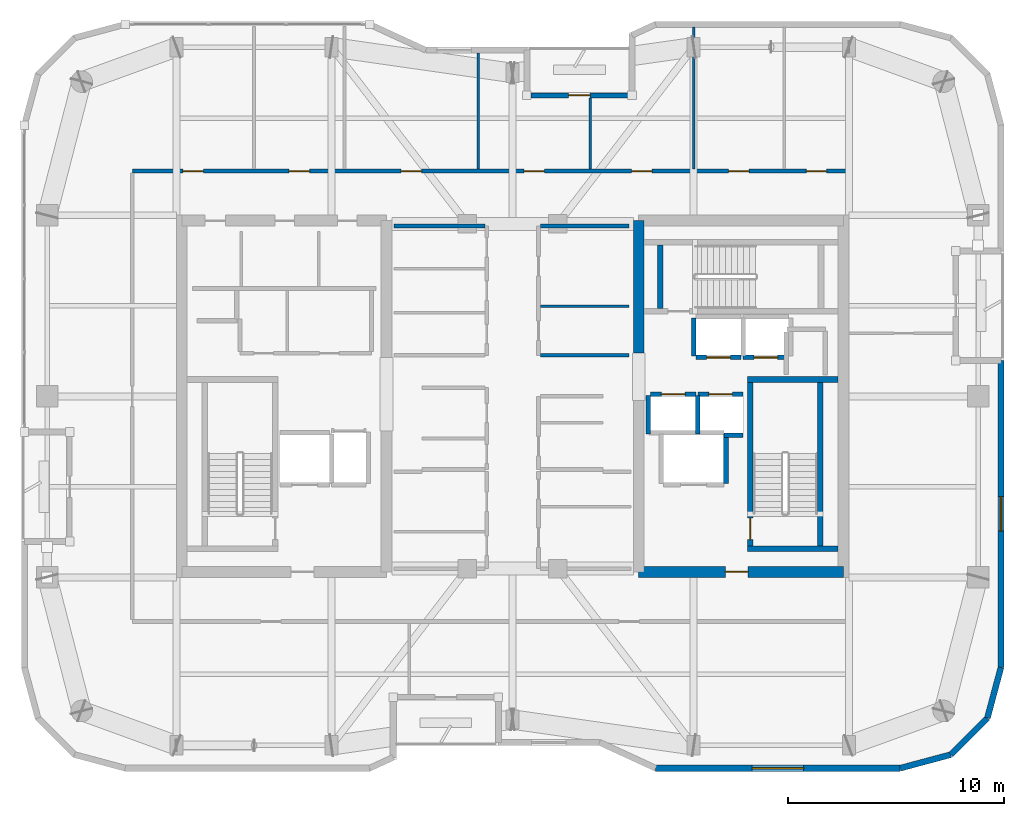
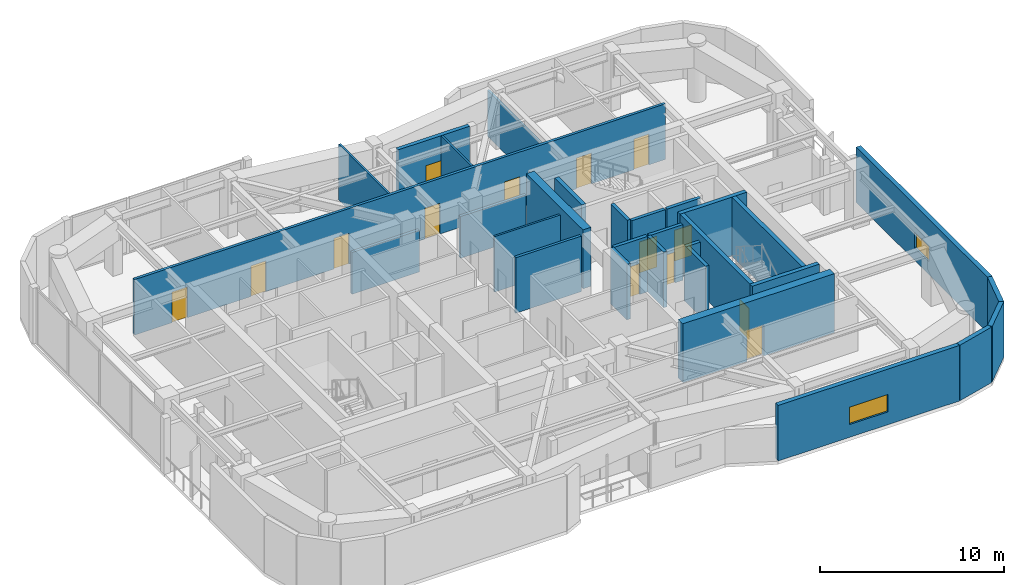
# One storey, part 12 of 15: 30 walls, 14 doors, 2 windows, 16 openings.
"""IFC4 building model written with IfcOpenShell, lengths in metres."""

import ifcopenshell
import ifcopenshell.guid

model = None  # the IFC model being written
_history = None  # IfcOwnerHistory: only IFC2X3 demands one
_inside = {}  # id of a spatial element -> (the spatial element, [elements in it])
_under = {}  # id of a project, library or spatial element -> (it, [spatial elements below it])
_declared = {}  # id of a project -> (the project, [libraries it declares])
_typed = {}  # id of a type object -> (the type object, [elements of that type])
_made_of = {}  # id of a material, layer set ... -> (it, [elements and type objects made of it])


def new_model(schema):
    """Start an empty IFC model of exactly this schema.

    Asked for "IFC4X3", IfcOpenShell would pick the latest addendum, in which some entities
    have other attributes; the version numbers below select the first issue.
    IFC2X3 requires an IfcOwnerHistory on every rooted entity: one is made here for all.
    """
    global model, _history
    if schema == "IFC4X3":
        model = ifcopenshell.file(schema_version=(4, 3, 0, 0))
    else:
        model = ifcopenshell.file(schema=schema)
    _inside.clear()
    _under.clear()
    _declared.clear()
    _typed.clear()
    _made_of.clear()
    _history = None
    if model.schema == "IFC2X3":
        org = make("IfcOrganization", Name="unknown")
        user = make(
            "IfcPersonAndOrganization",
            ThePerson=make("IfcPerson", FamilyName="unknown"),
            TheOrganization=org,
        )
        app = make(
            "IfcApplication",
            ApplicationDeveloper=org,
            Version="unknown",
            ApplicationFullName="unknown",
            ApplicationIdentifier="unknown",
        )
        _history = make(
            "IfcOwnerHistory",
            OwningUser=user,
            OwningApplication=app,
            ChangeAction="ADDED",
            CreationDate=0,
        )
    return model


def make(cls, **values):
    """One entity of the class cls with the attributes given. An attribute that is None is left unset."""
    return model.create_entity(
        cls, **{name: value for name, value in values.items() if value is not None}
    )


def rooted(cls, **values):
    """An entity with a GlobalId (a new one), such as an element, a storey or a relation."""
    return make(cls, GlobalId=ifcopenshell.guid.new(), OwnerHistory=_history, **values)


def si_unit(unit_type, name, prefix=None):
    """IfcSIUnit, for example si_unit("LENGTHUNIT", "METRE", prefix="MILLI")."""
    return make("IfcSIUnit", UnitType=unit_type, Prefix=prefix, Name=name)


def assignment(units):
    """IfcUnitAssignment: the units of a project."""
    return None if units is None else make("IfcUnitAssignment", Units=units)


def point(xyz):
    """IfcCartesianPoint."""
    return None if xyz is None else make("IfcCartesianPoint", Coordinates=xyz)


def direction(xyz):
    """IfcDirection."""
    return None if xyz is None else make("IfcDirection", DirectionRatios=xyz)


def frame(location, z_axis=None, x_axis=None):
    """IfcAxis2Placement3D, a coordinate frame: its origin and axes. An axis left out is left unset."""
    return make(
        "IfcAxis2Placement3D",
        Location=point(location),
        Axis=direction(z_axis),
        RefDirection=direction(x_axis),
    )


def frame_2d(location, x_axis=None):
    """IfcAxis2Placement2D, a coordinate frame in the plane: its origin and x axis."""
    return make(
        "IfcAxis2Placement2D", Location=point(location), RefDirection=direction(x_axis)
    )


def origin():
    """The frame at (0, 0, 0) with its axes left unset."""
    return frame((0.0, 0.0, 0.0))


def place(relative_to, where):
    """IfcLocalPlacement: puts the frame where relative to a parent placement (None: the world)."""
    return make(
        "IfcLocalPlacement", PlacementRelTo=relative_to, RelativePlacement=where
    )


def context(
    kind, dimensions, precision=None, world=None, true_north=None, identifier=None
):
    """IfcGeometricRepresentationContext, for example the 3D "Model" context."""
    return make(
        "IfcGeometricRepresentationContext",
        ContextIdentifier=identifier,
        ContextType=kind,
        CoordinateSpaceDimension=dimensions,
        Precision=precision,
        WorldCoordinateSystem=world,
        TrueNorth=true_north,
    )


def subcontext(parent, identifier, kind, view, scale=None):
    """IfcGeometricRepresentationSubContext, for example "Body" below "Model"."""
    return make(
        "IfcGeometricRepresentationSubContext",
        ContextIdentifier=identifier,
        ContextType=kind,
        ParentContext=parent,
        TargetScale=scale,
        TargetView=view,
    )


def project(units=None, contexts=None):
    """IfcProject with its units and contexts."""
    return rooted(
        "IfcProject",
        Name="project",
        RepresentationContexts=contexts,
        UnitsInContext=assignment(units),
    )


def spatial(cls, under=None, at=None, **own):
    """A site, building, storey or space (cls), placed at a placement, below another one or the project."""
    s = rooted(cls, ObjectPlacement=at, **own)
    if under is not None:
        _under.setdefault(under.id(), (under, []))[1].append(s)
    return s


def profile(cls, at=None, kind="AREA", **sizes):
    """A parametric profile (cls). Its sizes go by their IFC names, for example OverallWidth=200.0."""
    return make(cls, ProfileType=kind, Position=at, **sizes)


def rectangle(**sizes):
    """IfcRectangleProfileDef."""
    return profile("IfcRectangleProfileDef", **sizes)


def extrude(swept, where, along, depth):
    """IfcExtrudedAreaSolid: the profile swept, set in the frame where, extruded along a direction by depth."""
    return make(
        "IfcExtrudedAreaSolid",
        SweptArea=swept,
        Position=where,
        ExtrudedDirection=direction(along),
        Depth=depth,
    )


def shape(context_of_items, identifier, shape_type, items):
    """IfcShapeRepresentation: the items that make up one representation, for example the "Body"."""
    return make(
        "IfcShapeRepresentation",
        ContextOfItems=context_of_items,
        RepresentationIdentifier=identifier,
        RepresentationType=shape_type,
        Items=items,
    )


def material(Name=None, Category=None):
    """IfcMaterial."""
    return make("IfcMaterial", Name=Name, Category=Category)


def layer(
    of_material, thickness, ventilated=None, Name=None, Category=None, Priority=None
):
    """IfcMaterialLayer: one layer of a wall or slab, of a material (None: an air gap)."""
    return make(
        "IfcMaterialLayer",
        Material=of_material,
        LayerThickness=thickness,
        IsVentilated=ventilated,
        Name=Name,
        Category=Category,
        Priority=Priority,
    )


def layer_set(layers, Name=None):
    """IfcMaterialLayerSet."""
    return make("IfcMaterialLayerSet", MaterialLayers=layers, LayerSetName=Name)


def made_of(thing, what):
    """Note that an element or type object is made of a material, layer set ...; save() writes the relation."""
    if what is not None:
        _made_of.setdefault(what.id(), (what, []))[1].append(thing)
    return thing


def type_object(cls, material=None, **own):
    """A type object (cls), such as IfcWallType, which elements share."""
    return made_of(rooted(cls, **own), material)


def element(
    cls,
    number,
    at=None,
    inside=None,
    cuts=None,
    type_object=None,
    material=None,
    context=None,
    identifier="Body",
    shape_type=None,
    held_by="IfcProductDefinitionShape",
    body=None,
    shapes=None,
    **own,
):
    """One element of the class cls, such as IfcWall. Its Tag is "e" and its number.

    at: its placement. inside: the storey or other place that contains it. cuts: it is an
    opening in that element (IfcRelVoidsElement). A single representation is given by context,
    identifier, shape_type and body (its items); several are given by shapes. held_by: the class
    of the entity that holds the representations. save() writes the other relations.
    """
    e = rooted(cls, Tag="e%d" % number, ObjectPlacement=at, **own)
    if body is not None:
        shapes = [shape(context, identifier, shape_type, body)]
    if shapes is not None:
        e.Representation = make(held_by, Representations=shapes)
    if inside is not None:
        _inside.setdefault(inside.id(), (inside, []))[1].append(e)
    if cuts is not None:
        rooted(
            "IfcRelVoidsElement", RelatingBuildingElement=cuts, RelatedOpeningElement=e
        )
    if type_object is not None:
        _typed.setdefault(type_object.id(), (type_object, []))[1].append(e)
    return made_of(e, material)


def fill(opening, filler):
    """IfcRelFillsElement: the door or window that sits in an opening."""
    return rooted(
        "IfcRelFillsElement",
        RelatingOpeningElement=opening,
        RelatedBuildingElement=filler,
    )


def aggregate(whole, parts):
    """IfcRelAggregates: a whole, such as a stair, and the parts it consists of."""
    return rooted("IfcRelAggregates", RelatingObject=whole, RelatedObjects=parts)


def save(model, path):
    """Write the relations noted so far, then the file.

    IfcRelAggregates (storeys below a building ...), IfcRelContainedInSpatialStructure (elements
    in a storey), IfcRelDefinesByType, IfcRelAssociatesMaterial and IfcRelDeclares: one each for
    every whole, place, type object, material and project.
    """
    for whole, parts in _under.values():
        aggregate(whole, parts)
    for where, things in _inside.values():
        rooted(
            "IfcRelContainedInSpatialStructure",
            RelatedElements=things,
            RelatingStructure=where,
        )
    for kind, things in _typed.values():
        rooted("IfcRelDefinesByType", RelatedObjects=things, RelatingType=kind)
    for what, things in _made_of.values():
        rooted("IfcRelAssociatesMaterial", RelatedObjects=things, RelatingMaterial=what)
    for by, libraries in _declared.values():
        rooted("IfcRelDeclares", RelatingContext=by, RelatedDefinitions=libraries)
    model.write(path)


model = new_model("IFC4")

# Units and contexts
model_context = context("Model", 3, precision=1e-05, world=origin(), true_north=direction((0.0, 1.0)))
body_context = subcontext(model_context, "Body", "Model", "MODEL_VIEW")
ifc_project = project(units=[si_unit("LENGTHUNIT", "METRE"), si_unit("AREAUNIT", "SQUARE_METRE"), si_unit("VOLUMEUNIT", "CUBIC_METRE"), si_unit("PLANEANGLEUNIT", "RADIAN"), si_unit("MASSUNIT", "GRAM", prefix="KILO")], contexts=[model_context])

# Site, building, storey
site_placement = place(None, origin())
site = spatial("IfcSite", under=ifc_project, at=site_placement, CompositionType="ELEMENT")
building_placement = place(site_placement, origin())
building = spatial("IfcBuilding", under=site, at=building_placement, Name="Kiyonajd Concourse Tower", CompositionType="ELEMENT")
storey_placement = place(building_placement, frame((0.0, 0.0, 270.60009765625)))
storey = spatial("IfcBuildingStorey", under=building, at=storey_placement, Name="L68", CompositionType="ELEMENT", Elevation=270.60009765625)

# Wall
ifc_material_1 = material(Name="Concrete C60/75", Category="concrete")
ifc_layer_1 = layer(ifc_material_1, 0.5)
ifc_layer_set_1 = layer_set([ifc_layer_1], Name="Concrete C60/75")
wall_type_1 = type_object("IfcWallType", Name="WL-CORE-500", PredefinedType="SHEAR", material=ifc_layer_set_1)
wall_1_placement = place(storey_placement, frame((53.85009765625, 38.0, 0.0), z_axis=(0.0, 0.0, 1.0), x_axis=(0.0, 1.0, 0.0)))
element("IfcWall", 1, at=wall_1_placement, inside=storey, type_object=wall_type_1, Name="L68 East Core Inner North Shear Wall", PredefinedType="SHEAR", context=body_context, shape_type="SweptSolid", body=[
    extrude(rectangle(XDim=6.14990234375, YDim=0.5, at=frame_2d((3.074951171875, 0.0))), origin(), (0.0, 0.0, 1.0), 3.89990234375),
])

# Wall, opening, door
wall_2_placement = place(storey_placement, frame((53.85009765625, 27.85009765625, 0.0), z_axis=(0.0, 0.0, 1.0), x_axis=(1.0, 0.0, 0.0)))
wall_2 = element("IfcWall", 2, at=wall_2_placement, inside=storey, type_object=wall_type_1, Name="L68 East Core South Shear Wall", PredefinedType="SHEAR", context=body_context, shape_type="SweptSolid", body=[
    extrude(rectangle(XDim=9.5, YDim=0.5, at=frame_2d((4.75, 0.0))), origin(), (0.0, 0.0, 1.0), 3.89990234375),
])
opening_1_placement = place(wall_2_placement, frame((4.02490234375, 0.0, 0.0)))
opening_1 = element("IfcOpeningElement", 3, at=opening_1_placement, cuts=wall_2, Name="Opening DF5", PredefinedType="OPENING", context=body_context, shape_type="SweptSolid", body=[
    extrude(rectangle(XDim=1.050048828125, YDim=2.0400390625, at=frame_2d((0.52490234375, 1.02001953125))), frame((0.0, 0.260009765625, 0.0), z_axis=(0.0, -1.0, 0.0), x_axis=(1.0, 0.0, 0.0)), (0.0, 0.0, 1.0), 0.52001953125),
])
ifc_material_2 = material(Name="Brushed Stainless Steel Cab Assembly", Category="steel")
door_type_1 = type_object("IfcDoorType", Name="DR-FD45-1050", OperationType="NOTDEFINED", PredefinedType="DOOR", material=ifc_material_2)
door_1_placement = place(opening_1_placement, origin())
door_1 = element("IfcDoor", 4, at=door_1_placement, inside=storey, type_object=door_type_1, Name="L68 Firefighting Lift Lobby E Smoke Door", OperationType="SINGLE_SWING_RIGHT", OverallHeight=2.0400390625, OverallWidth=1.050048828125, PredefinedType="DOOR", context=body_context, shape_type="SweptSolid", body=[
    extrude(rectangle(XDim=1.050048828125, YDim=2.0400390625, at=frame_2d((0.52490234375, 1.02001953125))), frame((0.0, 0.02490234375, 0.0), z_axis=(0.0, -1.0, 0.0), x_axis=(1.0, 0.0, 0.0)), (0.0, 0.0, 1.0), 0.050048828125),
])
fill(opening_1, door_1)

# Wall, opening, window
ifc_material_3 = material(Name="Precast concrete C50/60", Category="concrete")
ifc_layer_2 = layer(ifc_material_3, 0.280029296875)
ifc_layer_set_2 = layer_set([ifc_layer_2], Name="Precast concrete C50/60")
wall_type_2 = type_object("IfcWallType", Name="WL-EXT-280", PredefinedType="SOLIDWALL", material=ifc_layer_set_2)
wall_3_placement = place(storey_placement, frame((70.659912109375, 37.659912109375, 0.0), z_axis=(0.0, 0.0, 1.0), x_axis=(0.0, -1.0, 0.0)))
wall_3 = element("IfcWall", 5, at=wall_3_placement, inside=storey, type_object=wall_type_2, Name="L68 Exterior Concrete Frame Wall 24", PredefinedType="SOLIDWALL", context=body_context, shape_type="SweptSolid", body=[
    extrude(rectangle(XDim=14.241455078125, YDim=0.280029296875, at=frame_2d((7.12060546875, 0.0))), origin(), (0.0, 0.0, 1.0), 3.679931640625),
])
opening_2_placement = place(wall_3_placement, frame((6.321044921875, 0.0, 0.85009765625)))
opening_2 = element("IfcOpeningElement", 6, at=opening_2_placement, cuts=wall_3, Name="Opening WN6", PredefinedType="OPENING", context=body_context, shape_type="SweptSolid", body=[
    extrude(rectangle(XDim=1.60009765625, YDim=1.0, at=frame_2d((0.800048828125, 0.5))), frame((0.0, 0.14990234375, 0.0), z_axis=(0.0, -1.0, 0.0), x_axis=(1.0, 0.0, 0.0)), (0.0, 0.0, 1.0), 0.300048828125),
])
ifc_material_4 = material(Name="Double Low-E Insulated Glass", Category="glass")
window_type_1 = type_object("IfcWindowType", Name="WN-VIS-1600x1000", PartitioningType="SINGLE_PANEL", PredefinedType="WINDOW", material=ifc_material_4)
window_1_placement = place(opening_2_placement, origin())
window_1 = element("IfcWindow", 7, at=window_1_placement, inside=storey, type_object=window_type_1, Name="L68 Modular Facade Vision Window 24", OverallHeight=1.0, OverallWidth=1.60009765625, PartitioningType="SINGLE_PANEL", PredefinedType="WINDOW", context=body_context, shape_type="SweptSolid", body=[
    extrude(rectangle(XDim=1.60009765625, YDim=1.0, at=frame_2d((0.800048828125, 0.5))), frame((0.0, 0.030029296875, 0.0), z_axis=(0.0, -1.0, 0.0), x_axis=(1.0, 0.0, 0.0)), (0.0, 0.0, 1.0), 0.06005859375),
])
fill(opening_2, window_1)

# Walls
wall_4_placement = place(storey_placement, frame((70.659912109375, 23.41845703125, 0.0), z_axis=(0.0, 0.0, 1.0), x_axis=(-0.258751159445, -0.965944013639, 0.0)))
element("IfcWall", 8, at=wall_4_placement, inside=storey, type_object=wall_type_2, Name="L68 Exterior Concrete Frame Wall 25", PredefinedType="SOLIDWALL", context=body_context, shape_type="SweptSolid", body=[
    extrude(rectangle(XDim=2.4287109375, YDim=0.280029296875, at=frame_2d((1.21435546875, 0.0))), origin(), (0.0, 0.0, 1.0), 3.679931640625),
])
wall_5_placement = place(storey_placement, frame((70.031494140625, 21.072509765625, 0.0), z_axis=(0.0, 0.0, 1.0), x_axis=(-0.707106781187, -0.707106781187, 0.0)))
element("IfcWall", 9, at=wall_5_placement, inside=storey, type_object=wall_type_2, Name="L68 Exterior Concrete Frame Wall 26", PredefinedType="SOLIDWALL", context=body_context, shape_type="SweptSolid", body=[
    extrude(rectangle(XDim=2.409912109375, YDim=0.280029296875, at=frame_2d((1.205078125, 0.0))), origin(), (0.0, 0.0, 1.0), 3.679931640625),
])
wall_6_placement = place(storey_placement, frame((68.327392578125, 19.368408203125, 0.0), z_axis=(0.0, 0.0, 1.0), x_axis=(-0.965937282298, -0.25877628691, 0.0)))
element("IfcWall", 10, at=wall_6_placement, inside=storey, type_object=wall_type_2, Name="L68 Exterior Concrete Frame Wall 27", PredefinedType="SOLIDWALL", context=body_context, shape_type="SweptSolid", body=[
    extrude(rectangle(XDim=2.428466796875, YDim=0.280029296875, at=frame_2d((1.21435546875, 0.0))), origin(), (0.0, 0.0, 1.0), 3.679931640625),
])

# Wall, opening, window
wall_7_placement = place(storey_placement, frame((65.981689453125, 18.739990234375, 0.0), z_axis=(0.0, 0.0, 1.0), x_axis=(-1.0, 0.0, 0.0)))
wall_7 = element("IfcWall", 11, at=wall_7_placement, inside=storey, type_object=wall_type_2, Name="L68 Exterior Concrete Frame Wall 28", PredefinedType="SOLIDWALL", context=body_context, shape_type="SweptSolid", body=[
    extrude(rectangle(XDim=11.35107421875, YDim=0.280029296875, at=frame_2d((5.675537109375, 0.0))), origin(), (0.0, 0.0, 1.0), 3.679931640625),
])
opening_3_placement = place(wall_7_placement, frame((4.47509765625, 0.0, 0.85009765625)))
opening_3 = element("IfcOpeningElement", 12, at=opening_3_placement, cuts=wall_7, Name="Opening WN4", PredefinedType="OPENING", context=body_context, shape_type="SweptSolid", body=[
    extrude(rectangle(XDim=2.39990234375, YDim=1.14990234375, at=frame_2d((1.199951171875, 0.574951171875))), frame((0.0, 0.14990234375, 0.0), z_axis=(0.0, -1.0, 0.0), x_axis=(1.0, 0.0, 0.0)), (0.0, 0.0, 1.0), 0.300048828125),
])
window_type_2 = type_object("IfcWindowType", Name="WN-VIS-2400x1150", PartitioningType="SINGLE_PANEL", PredefinedType="WINDOW", material=ifc_material_4)
window_2_placement = place(opening_3_placement, origin())
window_2 = element("IfcWindow", 13, at=window_2_placement, inside=storey, type_object=window_type_2, Name="L68 Modular Facade Vision Window 28", OverallHeight=1.14990234375, OverallWidth=2.39990234375, PartitioningType="SINGLE_PANEL", PredefinedType="WINDOW", context=body_context, shape_type="SweptSolid", body=[
    extrude(rectangle(XDim=2.39990234375, YDim=1.14990234375, at=frame_2d((1.199951171875, 0.574951171875))), frame((0.0, 0.030029296875, 0.0), z_axis=(0.0, -1.0, 0.0), x_axis=(1.0, 0.0, 0.0)), (0.0, 0.0, 1.0), 0.06005859375),
])
fill(opening_3, window_2)

# Wall, opening, door
ifc_layer_3 = layer(ifc_material_3, 0.239990234375)
ifc_layer_set_3 = layer_set([ifc_layer_3], Name="Precast concrete C50/60")
wall_type_3 = type_object("IfcWallType", Name="WL-LOG-240", PredefinedType="SOLIDWALL", material=ifc_layer_set_3)
wall_8_placement = place(storey_placement, frame((48.85498046875, 49.9599609375, 0.0), z_axis=(0.0, 0.0, 1.0), x_axis=(1.0, 0.0, 0.0)))
wall_8 = element("IfcWall", 14, at=wall_8_placement, inside=storey, type_object=wall_type_3, Name="L68 Recessed Loggia Thermal Wall LOG-N", PredefinedType="SOLIDWALL", context=body_context, shape_type="SweptSolid", body=[
    extrude(rectangle(XDim=4.489990234375, YDim=0.239990234375, at=frame_2d((2.2451171875, 0.0))), origin(), (0.0, 0.0, 1.0), 3.679931640625),
])
opening_4_placement = place(wall_8_placement, frame((1.7451171875, 0.0, 0.0)))
opening_4 = element("IfcOpeningElement", 15, at=opening_4_placement, cuts=wall_8, Name="Opening DL1", PredefinedType="OPENING", context=body_context, shape_type="SweptSolid", body=[
    extrude(rectangle(XDim=1.0, YDim=2.02001953125, at=frame_2d((0.5, 1.010009765625))), frame((0.0, 0.1298828125, 0.0), z_axis=(0.0, -1.0, 0.0), x_axis=(1.0, 0.0, 0.0)), (0.0, 0.0, 1.0), 0.260009765625),
])
ifc_material_5 = material(Name="Thermally Broken Anodised Aluminium", Category="aluminium")
door_type_2 = type_object("IfcDoorType", Name="DR-LOG-1000", OperationType="NOTDEFINED", PredefinedType="DOOR", material=ifc_material_5)
door_2_placement = place(opening_4_placement, origin())
door_2 = element("IfcDoor", 16, at=door_2_placement, inside=storey, type_object=door_type_2, Name="L68 Engawa Loggia Access Door LOG-N", OperationType="SINGLE_SWING_RIGHT", OverallHeight=2.02001953125, OverallWidth=1.0, PredefinedType="DOOR", context=body_context, shape_type="SweptSolid", body=[
    extrude(rectangle(XDim=1.0, YDim=2.02001953125, at=frame_2d((0.5, 1.010009765625))), frame((0.0, 0.02490234375, 0.0), z_axis=(0.0, -1.0, 0.0), x_axis=(1.0, 0.0, 0.0)), (0.0, 0.0, 1.0), 0.050048828125),
])
fill(opening_4, door_2)

# Walls
ifc_material_6 = material(Name="Gypsum Board on Cold-Formed Steel Stud", Category="steel")
ifc_layer_4 = layer(ifc_material_6, 0.125)
ifc_layer_set_4 = layer_set([ifc_layer_4], Name="Gypsum Board on Cold-Formed Steel Stud")
wall_type_4 = type_object("IfcWallType", Name="WL-PART-125", PredefinedType="PARTITIONING", material=ifc_layer_set_4)
wall_9_placement = place(storey_placement, frame((49.287109375, 40.179931640625, 0.0), z_axis=(0.0, 0.0, 1.0), x_axis=(1.0, 0.0, 0.0)))
element("IfcWall", 17, at=wall_9_placement, inside=storey, type_object=wall_type_4, Name="L68 Interior Partition Wall", PredefinedType="PARTITIONING", context=body_context, shape_type="SweptSolid", body=[
    extrude(rectangle(XDim=4.11279296875, YDim=0.125, at=frame_2d((2.056396484375, 0.0))), origin(), (0.0, 0.0, 1.0), 3.679931640625),
])
wall_10_placement = place(storey_placement, frame((46.39990234375, 46.537109375, 0.0), z_axis=(0.0, 0.0, 1.0), x_axis=(0.0, 1.0, 0.0)))
element("IfcWall", 18, at=wall_10_placement, inside=storey, type_object=wall_type_4, Name="L68 Interior Partition Wall", PredefinedType="PARTITIONING", context=body_context, shape_type="SweptSolid", body=[
    extrude(rectangle(XDim=5.387939453125, YDim=0.125, at=frame_2d((2.69384765625, 0.0))), origin(), (0.0, 0.0, 1.0), 3.679931640625),
])
wall_11_placement = place(storey_placement, frame((51.60009765625, 46.537109375, 0.0), z_axis=(0.0, 0.0, 1.0), x_axis=(0.0, 1.0, 0.0)))
element("IfcWall", 19, at=wall_11_placement, inside=storey, type_object=wall_type_4, Name="L68 Interior Partition Wall", PredefinedType="PARTITIONING", context=body_context, shape_type="SweptSolid", body=[
    extrude(rectangle(XDim=3.307861328125, YDim=0.125, at=frame_2d((1.65380859375, 0.0))), origin(), (0.0, 0.0, 1.0), 3.679931640625),
])
wall_12_placement = place(storey_placement, frame((56.39990234375, 46.537109375, 0.0), z_axis=(0.0, 0.0, 1.0), x_axis=(0.0, 1.0, 0.0)))
element("IfcWall", 20, at=wall_12_placement, inside=storey, type_object=wall_type_4, Name="L68 Interior Partition Wall", PredefinedType="PARTITIONING", context=body_context, shape_type="SweptSolid", body=[
    extrude(rectangle(XDim=6.587890625, YDim=0.125, at=frame_2d((3.2939453125, 0.0))), origin(), (0.0, 0.0, 1.0), 3.04296875),
])
ifc_layer_5 = layer(ifc_material_6, 0.2099609375)
ifc_layer_set_5 = layer_set([ifc_layer_5], Name="Gypsum Board on Cold-Formed Steel Stud")
wall_type_5 = type_object("IfcWallType", Name="WL-SHAFT-210", PredefinedType="PARTITIONING", material=ifc_layer_set_5)
wall_13_placement = place(storey_placement, frame((57.89990234375, 31.9599609375, 0.0), z_axis=(0.0, 0.0, 1.0), x_axis=(0.0, 1.0, 0.0)))
element("IfcWall", 21, at=wall_13_placement, inside=storey, type_object=wall_type_5, Name="L68 Shaft Enclosure Wall", PredefinedType="PARTITIONING", context=body_context, shape_type="SweptSolid", body=[
    extrude(rectangle(XDim=2.280029296875, YDim=0.2099609375, at=frame_2d((1.14013671875, 0.0))), origin(), (0.0, 0.0, 1.0), 3.679931640625),
])

# Wall, opening, door
wall_14_placement = place(storey_placement, frame((54.39990234375, 36.10009765625, 0.0), z_axis=(0.0, 0.0, 1.0), x_axis=(1.0, 0.0, 0.0)))
wall_14 = element("IfcWall", 22, at=wall_14_placement, inside=storey, type_object=wall_type_5, Name="L68 Shaft Enclosure Wall", PredefinedType="PARTITIONING", context=body_context, shape_type="SweptSolid", body=[
    extrude(rectangle(XDim=2.10009765625, YDim=0.2099609375, at=frame_2d((1.050048828125, 0.0))), origin(), (0.0, 0.0, 1.0), 3.679931640625),
])
opening_5_placement = place(wall_14_placement, frame((0.5, 0.0, 0.0)))
opening_5 = element("IfcOpeningElement", 23, at=opening_5_placement, cuts=wall_14, Name="Opening LD1", PredefinedType="OPENING", context=body_context, shape_type="SweptSolid", body=[
    extrude(rectangle(XDim=1.10009765625, YDim=2.0400390625, at=frame_2d((0.550048828125, 1.02001953125))), frame((0.0, 0.114990234375, 0.0), z_axis=(0.0, -1.0, 0.0), x_axis=(1.0, 0.0, 0.0)), (0.0, 0.0, 1.0), 0.22998046875),
])
door_type_3 = type_object("IfcDoorType", Name="DR-LD-1100", OperationType="DOUBLE_DOOR_SLIDING", PredefinedType="DOOR", material=ifc_material_2)
door_3_placement = place(opening_5_placement, origin())
door_3 = element("IfcDoor", 24, at=door_3_placement, inside=storey, type_object=door_type_3, Name="L68 Lift PL-H1 Sliding Landing Door", OperationType="DOUBLE_DOOR_SLIDING", OverallHeight=2.0400390625, OverallWidth=1.10009765625, PredefinedType="DOOR", context=body_context, shape_type="SweptSolid", body=[
    extrude(rectangle(XDim=1.10009765625, YDim=2.0400390625, at=frame_2d((0.550048828125, 1.02001953125))), frame((0.0, 0.02490234375, 0.0), z_axis=(0.0, -1.0, 0.0), x_axis=(1.0, 0.0, 0.0)), (0.0, 0.0, 1.0), 0.050048828125),
])
fill(opening_5, door_3)

# Walls
for number, where, z_axis, x_axis, name in (
    (25, (54.300048828125, 34.260009765625, 0.0), (0.0, 0.0, 1.0), (0.0, 1.0, 0.0), "L68 Shaft Enclosure Wall"),
    (26, (56.60009765625, 34.260009765625, 0.0), (0.0, 0.0, 1.0), (0.0, 1.0, 0.0), "L68 Shaft Enclosure Wall"),
):
    element("IfcWall", number, at=place(storey_placement, frame(where, z_axis=z_axis, x_axis=x_axis)), inside=storey, type_object=wall_type_5, Name=name, PredefinedType="PARTITIONING", context=body_context, shape_type="SweptSolid", body=[
        extrude(rectangle(XDim=1.780029296875, YDim=0.2099609375, at=frame_2d((0.89013671875, 0.0))), origin(), (0.0, 0.0, 1.0), 3.679931640625),
    ])

# Wall, opening, door
wall_15_placement = place(storey_placement, frame((56.60009765625, 36.10009765625, 0.0), z_axis=(0.0, 0.0, 1.0), x_axis=(1.0, 0.0, 0.0)))
wall_15 = element("IfcWall", 27, at=wall_15_placement, inside=storey, type_object=wall_type_5, Name="L68 Shaft Enclosure Wall", PredefinedType="PARTITIONING", context=body_context, shape_type="SweptSolid", body=[
    extrude(rectangle(XDim=2.099853515625, YDim=0.2099609375, at=frame_2d((1.0498046875, 0.0))), origin(), (0.0, 0.0, 1.0), 3.679931640625),
])
opening_6_placement = place(wall_15_placement, frame((0.5, 0.0, 0.0)))
opening_6 = element("IfcOpeningElement", 28, at=opening_6_placement, cuts=wall_15, Name="Opening LD1", PredefinedType="OPENING", context=body_context, shape_type="SweptSolid", body=[
    extrude(rectangle(XDim=1.10009765625, YDim=2.0400390625, at=frame_2d((0.550048828125, 1.02001953125))), frame((0.0, 0.114990234375, 0.0), z_axis=(0.0, -1.0, 0.0), x_axis=(1.0, 0.0, 0.0)), (0.0, 0.0, 1.0), 0.22998046875),
])
door_4_placement = place(opening_6_placement, origin())
door_4 = element("IfcDoor", 29, at=door_4_placement, inside=storey, type_object=door_type_3, Name="L68 Lift PL-H2 Sliding Landing Door", OperationType="DOUBLE_DOOR_SLIDING", OverallHeight=2.0400390625, OverallWidth=1.10009765625, PredefinedType="DOOR", context=body_context, shape_type="SweptSolid", body=[
    extrude(rectangle(XDim=1.10009765625, YDim=2.0400390625, at=frame_2d((0.550048828125, 1.02001953125))), frame((0.0, 0.02490234375, 0.0), z_axis=(0.0, -1.0, 0.0), x_axis=(1.0, 0.0, 0.0)), (0.0, 0.0, 1.0), 0.050048828125),
])
fill(opening_6, door_4)

# Wall
wall_16_placement = place(storey_placement, frame((57.800048828125, 34.199951171875, 0.0), z_axis=(0.0, 0.0, 1.0), x_axis=(1.0, 0.0, 0.0)))
element("IfcWall", 30, at=wall_16_placement, inside=storey, type_object=wall_type_5, Name="L68 Shaft Enclosure Wall", PredefinedType="PARTITIONING", context=body_context, shape_type="SweptSolid", body=[
    extrude(rectangle(XDim=0.89990234375, YDim=0.2099609375, at=frame_2d((0.449951171875, 0.0))), origin(), (0.0, 0.0, 1.0), 3.679931640625),
])

# Wall, opening, door
wall_17_placement = place(storey_placement, frame((56.5, 37.800048828125, 0.0), z_axis=(0.0, 0.0, 1.0), x_axis=(1.0, 0.0, 0.0)))
wall_17 = element("IfcWall", 31, at=wall_17_placement, inside=storey, type_object=wall_type_5, Name="L68 Shaft Enclosure Wall", PredefinedType="PARTITIONING", context=body_context, shape_type="SweptSolid", body=[
    extrude(rectangle(XDim=2.10009765625, YDim=0.2099609375, at=frame_2d((1.050048828125, 0.0))), origin(), (0.0, 0.0, 1.0), 3.679931640625),
])
opening_7_placement = place(wall_17_placement, frame((0.5, 0.0, 0.0)))
opening_7 = element("IfcOpeningElement", 32, at=opening_7_placement, cuts=wall_17, Name="Opening LD1", PredefinedType="OPENING", context=body_context, shape_type="SweptSolid", body=[
    extrude(rectangle(XDim=1.10009765625, YDim=2.0400390625, at=frame_2d((0.550048828125, 1.02001953125))), frame((0.0, 0.114990234375, 0.0), z_axis=(0.0, -1.0, 0.0), x_axis=(1.0, 0.0, 0.0)), (0.0, 0.0, 1.0), 0.22998046875),
])
door_5_placement = place(opening_7_placement, origin())
door_5 = element("IfcDoor", 33, at=door_5_placement, inside=storey, type_object=door_type_3, Name="L68 Lift PL-H3 Sliding Landing Door", OperationType="DOUBLE_DOOR_SLIDING", OverallHeight=2.0400390625, OverallWidth=1.10009765625, PredefinedType="DOOR", context=body_context, shape_type="SweptSolid", body=[
    extrude(rectangle(XDim=1.10009765625, YDim=2.0400390625, at=frame_2d((0.550048828125, 1.02001953125))), frame((0.0, 0.02490234375, 0.0), z_axis=(0.0, -1.0, 0.0), x_axis=(1.0, 0.0, 0.0)), (0.0, 0.0, 1.0), 0.050048828125),
])
fill(opening_7, door_5)

# Wall
wall_18_placement = place(storey_placement, frame((56.39990234375, 37.860107421875, 0.0), z_axis=(0.0, 0.0, 1.0), x_axis=(0.0, 1.0, 0.0)))
element("IfcWall", 34, at=wall_18_placement, inside=storey, type_object=wall_type_5, Name="L68 Shaft Enclosure Wall", PredefinedType="PARTITIONING", context=body_context, shape_type="SweptSolid", body=[
    extrude(rectangle(XDim=1.77978515625, YDim=0.2099609375, at=frame_2d((0.889892578125, 0.0))), origin(), (0.0, 0.0, 1.0), 3.679931640625),
])

# Wall, opening, door
wall_19_placement = place(storey_placement, frame((58.699951171875, 37.800048828125, 0.0), z_axis=(0.0, 0.0, 1.0), x_axis=(1.0, 0.0, 0.0)))
wall_19 = element("IfcWall", 35, at=wall_19_placement, inside=storey, type_object=wall_type_5, Name="L68 Shaft Enclosure Wall", PredefinedType="PARTITIONING", context=body_context, shape_type="SweptSolid", body=[
    extrude(rectangle(XDim=2.10009765625, YDim=0.2099609375, at=frame_2d((1.050048828125, 0.0))), origin(), (0.0, 0.0, 1.0), 3.679931640625),
])
opening_8_placement = place(wall_19_placement, frame((0.5, 0.0, 0.0)))
opening_8 = element("IfcOpeningElement", 36, at=opening_8_placement, cuts=wall_19, Name="Opening LD1", PredefinedType="OPENING", context=body_context, shape_type="SweptSolid", body=[
    extrude(rectangle(XDim=1.10009765625, YDim=2.0400390625, at=frame_2d((0.550048828125, 1.02001953125))), frame((0.0, 0.114990234375, 0.0), z_axis=(0.0, -1.0, 0.0), x_axis=(1.0, 0.0, 0.0)), (0.0, 0.0, 1.0), 0.22998046875),
])
door_6_placement = place(opening_8_placement, origin())
door_6 = element("IfcDoor", 37, at=door_6_placement, inside=storey, type_object=door_type_3, Name="L68 Lift PL-H4 Sliding Landing Door", OperationType="DOUBLE_DOOR_SLIDING", OverallHeight=2.0400390625, OverallWidth=1.10009765625, PredefinedType="DOOR", context=body_context, shape_type="SweptSolid", body=[
    extrude(rectangle(XDim=1.10009765625, YDim=2.0400390625, at=frame_2d((0.550048828125, 1.02001953125))), frame((0.0, 0.02490234375, 0.0), z_axis=(0.0, -1.0, 0.0), x_axis=(1.0, 0.0, 0.0)), (0.0, 0.0, 1.0), 0.050048828125),
])
fill(opening_8, door_6)

# Walls
ifc_layer_6 = layer(ifc_material_6, 0.169921875)
ifc_layer_set_6 = layer_set([ifc_layer_6], Name="Gypsum Board on Cold-Formed Steel Stud")
wall_type_6 = type_object("IfcWallType", Name="WL-SMK-170", PredefinedType="PARTITIONING", material=ifc_layer_set_6)
wall_20_placement = place(storey_placement, frame((42.5, 43.89990234375, 0.0), z_axis=(0.0, 0.0, 1.0), x_axis=(1.0, 0.0, 0.0)))
element("IfcWall", 38, at=wall_20_placement, inside=storey, type_object=wall_type_6, Name="L68 Interior Partition Wall", PredefinedType="PARTITIONING", context=body_context, shape_type="SweptSolid", body=[
    extrude(rectangle(XDim=4.212890625, YDim=0.169921875, at=frame_2d((2.1064453125, 0.0))), origin(), (0.0, 0.0, 1.0), 2.764892578125),
])
wall_21_placement = place(storey_placement, frame((49.287109375, 37.89990234375, 0.0), z_axis=(0.0, 0.0, 1.0), x_axis=(1.0, 0.0, 0.0)))
element("IfcWall", 39, at=wall_21_placement, inside=storey, type_object=wall_type_6, Name="L68 Interior Partition Wall", PredefinedType="PARTITIONING", context=body_context, shape_type="SweptSolid", body=[
    extrude(rectangle(XDim=4.11279296875, YDim=0.169921875, at=frame_2d((2.056396484375, 0.0))), origin(), (0.0, 0.0, 1.0), 3.679931640625),
])
wall_22_placement = place(storey_placement, frame((49.287109375, 43.89990234375, 0.0), z_axis=(0.0, 0.0, 1.0), x_axis=(1.0, 0.0, 0.0)))
element("IfcWall", 40, at=wall_22_placement, inside=storey, type_object=wall_type_6, Name="L68 Interior Partition Wall", PredefinedType="PARTITIONING", context=body_context, shape_type="SweptSolid", body=[
    extrude(rectangle(XDim=4.11279296875, YDim=0.169921875, at=frame_2d((2.056396484375, 0.0))), origin(), (0.0, 0.0, 1.0), 2.764892578125),
])

# Wall, openings, doors
wall_23_placement = place(storey_placement, frame((30.35009765625, 46.449951171875, 0.0), z_axis=(0.0, 0.0, 1.0), x_axis=(1.0, 0.0, 0.0)))
wall_23 = element("IfcWall", 41, at=wall_23_placement, inside=storey, type_object=wall_type_6, Name="L68 Interior Partition Wall", PredefinedType="PARTITIONING", context=body_context, shape_type="SweptSolid", body=[
    extrude(rectangle(XDim=33.25, YDim=0.169921875, at=frame_2d((16.625, 0.0))), origin(), (0.0, 0.0, 1.0), 3.679931640625),
])
opening_9_placement = place(wall_23_placement, frame((2.35009765625, 0.0, 0.0)))
opening_9 = element("IfcOpeningElement", 42, at=opening_9_placement, cuts=wall_23, Name="Opening DI1", PredefinedType="OPENING", context=body_context, shape_type="SweptSolid", body=[
    extrude(rectangle(XDim=0.949951171875, YDim=2.0400390625, at=frame_2d((0.47509765625, 1.02001953125))), frame((0.0, 0.094970703125, 0.0), z_axis=(0.0, -1.0, 0.0), x_axis=(1.0, 0.0, 0.0)), (0.0, 0.0, 1.0), 0.18994140625),
])
opening_10_placement = place(wall_23_placement, frame((7.27490234375, 0.0, 0.0)))
opening_10 = element("IfcOpeningElement", 43, at=opening_10_placement, cuts=wall_23, Name="Opening DI1", PredefinedType="OPENING", context=body_context, shape_type="SweptSolid", body=[
    extrude(rectangle(XDim=0.949951171875, YDim=2.0400390625, at=frame_2d((0.47509765625, 1.02001953125))), frame((0.0, 0.094970703125, 0.0), z_axis=(0.0, -1.0, 0.0), x_axis=(1.0, 0.0, 0.0)), (0.0, 0.0, 1.0), 0.18994140625),
])
opening_11_placement = place(wall_23_placement, frame((12.47509765625, 0.0, 0.0)))
opening_11 = element("IfcOpeningElement", 44, at=opening_11_placement, cuts=wall_23, Name="Opening DI1", PredefinedType="OPENING", context=body_context, shape_type="SweptSolid", body=[
    extrude(rectangle(XDim=0.949951171875, YDim=2.0400390625, at=frame_2d((0.47509765625, 1.02001953125))), frame((0.0, 0.094970703125, 0.0), z_axis=(0.0, -1.0, 0.0), x_axis=(1.0, 0.0, 0.0)), (0.0, 0.0, 1.0), 0.18994140625),
])
opening_12_placement = place(wall_23_placement, frame((18.175048828125, 0.0, 0.0)))
opening_12 = element("IfcOpeningElement", 45, at=opening_12_placement, cuts=wall_23, Name="Opening DI1", PredefinedType="OPENING", context=body_context, shape_type="SweptSolid", body=[
    extrude(rectangle(XDim=0.949951171875, YDim=2.0400390625, at=frame_2d((0.47509765625, 1.02001953125))), frame((0.0, 0.094970703125, 0.0), z_axis=(0.0, -1.0, 0.0), x_axis=(1.0, 0.0, 0.0)), (0.0, 0.0, 1.0), 0.18994140625),
])
opening_13_placement = place(wall_23_placement, frame((23.175048828125, 0.0, 0.0)))
opening_13 = element("IfcOpeningElement", 46, at=opening_13_placement, cuts=wall_23, Name="Opening DI1", PredefinedType="OPENING", context=body_context, shape_type="SweptSolid", body=[
    extrude(rectangle(XDim=0.949951171875, YDim=2.0400390625, at=frame_2d((0.47509765625, 1.02001953125))), frame((0.0, 0.094970703125, 0.0), z_axis=(0.0, -1.0, 0.0), x_axis=(1.0, 0.0, 0.0)), (0.0, 0.0, 1.0), 0.18994140625),
])
opening_14_placement = place(wall_23_placement, frame((27.675048828125, 0.0, 0.0)))
opening_14 = element("IfcOpeningElement", 47, at=opening_14_placement, cuts=wall_23, Name="Opening DI1", PredefinedType="OPENING", context=body_context, shape_type="SweptSolid", body=[
    extrude(rectangle(XDim=0.949951171875, YDim=2.0400390625, at=frame_2d((0.47509765625, 1.02001953125))), frame((0.0, 0.094970703125, 0.0), z_axis=(0.0, -1.0, 0.0), x_axis=(1.0, 0.0, 0.0)), (0.0, 0.0, 1.0), 0.18994140625),
])
opening_15_placement = place(wall_23_placement, frame((31.27490234375, 0.0, 0.0)))
opening_15 = element("IfcOpeningElement", 48, at=opening_15_placement, cuts=wall_23, Name="Opening DI1", PredefinedType="OPENING", context=body_context, shape_type="SweptSolid", body=[
    extrude(rectangle(XDim=0.949951171875, YDim=2.0400390625, at=frame_2d((0.47509765625, 1.02001953125))), frame((0.0, 0.094970703125, 0.0), z_axis=(0.0, -1.0, 0.0), x_axis=(1.0, 0.0, 0.0)), (0.0, 0.0, 1.0), 0.18994140625),
])
ifc_material_7 = material(Name="Natural Oak Acoustic Timber Veneer", Category="wood")
door_type_4 = type_object("IfcDoorType", Name="DR-INT-950", OperationType="NOTDEFINED", PredefinedType="DOOR", material=ifc_material_7)
door_7_placement = place(opening_9_placement, origin())
door_7 = element("IfcDoor", 49, at=door_7_placement, inside=storey, type_object=door_type_4, Name="L68 Interior Door", OperationType="SINGLE_SWING_LEFT", OverallHeight=2.0400390625, OverallWidth=0.949951171875, PredefinedType="DOOR", context=body_context, shape_type="SweptSolid", body=[
    extrude(rectangle(XDim=0.949951171875, YDim=2.0400390625, at=frame_2d((0.47509765625, 1.02001953125))), frame((0.0, 0.02490234375, 0.0), z_axis=(0.0, -1.0, 0.0), x_axis=(1.0, 0.0, 0.0)), (0.0, 0.0, 1.0), 0.050048828125),
])
fill(opening_9, door_7)
door_8_placement = place(opening_10_placement, origin())
door_8 = element("IfcDoor", 50, at=door_8_placement, inside=storey, type_object=door_type_4, Name="L68 Interior Door", OperationType="SINGLE_SWING_RIGHT", OverallHeight=2.0400390625, OverallWidth=0.949951171875, PredefinedType="DOOR", context=body_context, shape_type="SweptSolid", body=[
    extrude(rectangle(XDim=0.949951171875, YDim=2.0400390625, at=frame_2d((0.47509765625, 1.02001953125))), frame((0.0, 0.02490234375, 0.0), z_axis=(0.0, -1.0, 0.0), x_axis=(1.0, 0.0, 0.0)), (0.0, 0.0, 1.0), 0.050048828125),
])
fill(opening_10, door_8)
door_9_placement = place(opening_11_placement, origin())
door_9 = element("IfcDoor", 51, at=door_9_placement, inside=storey, type_object=door_type_4, Name="L68 Interior Door", OperationType="SINGLE_SWING_LEFT", OverallHeight=2.0400390625, OverallWidth=0.949951171875, PredefinedType="DOOR", context=body_context, shape_type="SweptSolid", body=[
    extrude(rectangle(XDim=0.949951171875, YDim=2.0400390625, at=frame_2d((0.47509765625, 1.02001953125))), frame((0.0, 0.02490234375, 0.0), z_axis=(0.0, -1.0, 0.0), x_axis=(1.0, 0.0, 0.0)), (0.0, 0.0, 1.0), 0.050048828125),
])
fill(opening_11, door_9)
door_10_placement = place(opening_12_placement, origin())
door_10 = element("IfcDoor", 52, at=door_10_placement, inside=storey, type_object=door_type_4, Name="L68 Interior Door", OperationType="SINGLE_SWING_RIGHT", OverallHeight=2.0400390625, OverallWidth=0.949951171875, PredefinedType="DOOR", context=body_context, shape_type="SweptSolid", body=[
    extrude(rectangle(XDim=0.949951171875, YDim=2.0400390625, at=frame_2d((0.47509765625, 1.02001953125))), frame((0.0, 0.02490234375, 0.0), z_axis=(0.0, -1.0, 0.0), x_axis=(1.0, 0.0, 0.0)), (0.0, 0.0, 1.0), 0.050048828125),
])
fill(opening_12, door_10)
door_11_placement = place(opening_13_placement, origin())
door_11 = element("IfcDoor", 53, at=door_11_placement, inside=storey, type_object=door_type_4, Name="L68 Interior Door", OperationType="SINGLE_SWING_LEFT", OverallHeight=2.0400390625, OverallWidth=0.949951171875, PredefinedType="DOOR", context=body_context, shape_type="SweptSolid", body=[
    extrude(rectangle(XDim=0.949951171875, YDim=2.0400390625, at=frame_2d((0.47509765625, 1.02001953125))), frame((0.0, 0.02490234375, 0.0), z_axis=(0.0, -1.0, 0.0), x_axis=(1.0, 0.0, 0.0)), (0.0, 0.0, 1.0), 0.050048828125),
])
fill(opening_13, door_11)
door_12_placement = place(opening_14_placement, origin())
door_12 = element("IfcDoor", 54, at=door_12_placement, inside=storey, type_object=door_type_4, Name="L68 Interior Door", OperationType="SINGLE_SWING_RIGHT", OverallHeight=2.0400390625, OverallWidth=0.949951171875, PredefinedType="DOOR", context=body_context, shape_type="SweptSolid", body=[
    extrude(rectangle(XDim=0.949951171875, YDim=2.0400390625, at=frame_2d((0.47509765625, 1.02001953125))), frame((0.0, 0.02490234375, 0.0), z_axis=(0.0, -1.0, 0.0), x_axis=(1.0, 0.0, 0.0)), (0.0, 0.0, 1.0), 0.050048828125),
])
fill(opening_14, door_12)
door_13_placement = place(opening_15_placement, origin())
door_13 = element("IfcDoor", 55, at=door_13_placement, inside=storey, type_object=door_type_4, Name="L68 Interior Door", OperationType="SINGLE_SWING_LEFT", OverallHeight=2.0400390625, OverallWidth=0.949951171875, PredefinedType="DOOR", context=body_context, shape_type="SweptSolid", body=[
    extrude(rectangle(XDim=0.949951171875, YDim=2.0400390625, at=frame_2d((0.47509765625, 1.02001953125))), frame((0.0, 0.02490234375, 0.0), z_axis=(0.0, -1.0, 0.0), x_axis=(1.0, 0.0, 0.0)), (0.0, 0.0, 1.0), 0.050048828125),
])
fill(opening_15, door_13)

# Walls
ifc_material_8 = material(Name="Concrete C50/60", Category="concrete")
ifc_layer_7 = layer(ifc_material_8, 0.260009765625)
ifc_layer_set_7 = layer_set([ifc_layer_7], Name="Concrete C50/60")
wall_type_7 = type_object("IfcWallType", Name="WL-STAIR-260", PredefinedType="SHEAR", material=ifc_layer_set_7)
for number, where, z_axis, x_axis, name in (
    (56, (58.889892578125, 28.919921875, 0.0), (0.0, 0.0, 1.0), (1.0, 0.0, 0.0), "L68 Stair ST2 Structural South Wall"),
    (57, (58.889892578125, 36.780029296875, 0.0), (0.0, 0.0, 1.0), (1.0, 0.0, 0.0), "L68 Stair ST2 Structural North Wall"),
):
    element("IfcWall", number, at=place(storey_placement, frame(where, z_axis=z_axis, x_axis=x_axis)), inside=storey, type_object=wall_type_7, Name=name, PredefinedType="SHEAR", context=body_context, shape_type="SweptSolid", body=[
        extrude(rectangle(XDim=4.210205078125, YDim=0.260009765625, at=frame_2d((2.10498046875, 0.0))), origin(), (0.0, 0.0, 1.0), 3.89990234375),
    ])

# Wall, opening, door
wall_24_placement = place(storey_placement, frame((59.02001953125, 29.050048828125, 0.0), z_axis=(0.0, 0.0, 1.0), x_axis=(0.0, 1.0, 0.0)))
wall_24 = element("IfcWall", 58, at=wall_24_placement, inside=storey, type_object=wall_type_7, Name="L68 Stair ST2 Structural West Wall", PredefinedType="SHEAR", context=body_context, shape_type="SweptSolid", body=[
    extrude(rectangle(XDim=7.599853515625, YDim=0.260009765625, at=frame_2d((3.7998046875, 0.0))), origin(), (0.0, 0.0, 1.0), 3.89990234375),
])
opening_16_placement = place(wall_24_placement, frame((0.300048828125, 0.0, 0.0)))
opening_16 = element("IfcOpeningElement", 59, at=opening_16_placement, cuts=wall_24, Name="Opening DF1", PredefinedType="OPENING", context=body_context, shape_type="SweptSolid", body=[
    extrude(rectangle(XDim=1.0, YDim=2.0400390625, at=frame_2d((0.5, 1.02001953125))), frame((0.0, 0.139892578125, 0.0), z_axis=(0.0, -1.0, 0.0), x_axis=(1.0, 0.0, 0.0)), (0.0, 0.0, 1.0), 0.280029296875),
])
door_type_5 = type_object("IfcDoorType", Name="DR-FD90-1000", OperationType="NOTDEFINED", PredefinedType="DOOR", material=ifc_material_2)
door_14_placement = place(opening_16_placement, origin())
door_14 = element("IfcDoor", 60, at=door_14_placement, inside=storey, type_object=door_type_5, Name="L68 Stair ST2 FSAE Door", OperationType="SINGLE_SWING_RIGHT", OverallHeight=2.0400390625, OverallWidth=1.0, PredefinedType="DOOR", context=body_context, shape_type="SweptSolid", body=[
    extrude(rectangle(XDim=1.0, YDim=2.0400390625, at=frame_2d((0.5, 1.02001953125))), frame((0.0, 0.02490234375, 0.0), z_axis=(0.0, -1.0, 0.0), x_axis=(1.0, 0.0, 0.0)), (0.0, 0.0, 1.0), 0.050048828125),
])
fill(opening_16, door_14)

# Walls
wall_25_placement = place(storey_placement, frame((62.280029296875, 29.050048828125, 0.0), z_axis=(0.0, 0.0, 1.0), x_axis=(0.0, 1.0, 0.0)))
element("IfcWall", 61, at=wall_25_placement, inside=storey, type_object=wall_type_7, Name="L68 Stair ST2 Structural East Wall", PredefinedType="SHEAR", context=body_context, shape_type="SweptSolid", body=[
    extrude(rectangle(XDim=7.599853515625, YDim=0.260009765625, at=frame_2d((3.7998046875, 0.0))), origin(), (0.0, 0.0, 1.0), 3.89990234375),
])
wall_26_placement = place(storey_placement, frame((54.85009765625, 40.080078125, 0.0), z_axis=(0.0, 0.0, 1.0), x_axis=(0.0, 1.0, 0.0)))
element("IfcWall", 62, at=wall_26_placement, inside=storey, type_object=wall_type_7, Name="L68 Stair ST3 Structural West Wall", PredefinedType="SHEAR", context=body_context, shape_type="SweptSolid", body=[
    extrude(rectangle(XDim=2.93994140625, YDim=0.260009765625, at=frame_2d((1.469970703125, 0.0))), origin(), (0.0, 0.0, 1.0), 3.89990234375),
])

save(model, "model.ifc")
